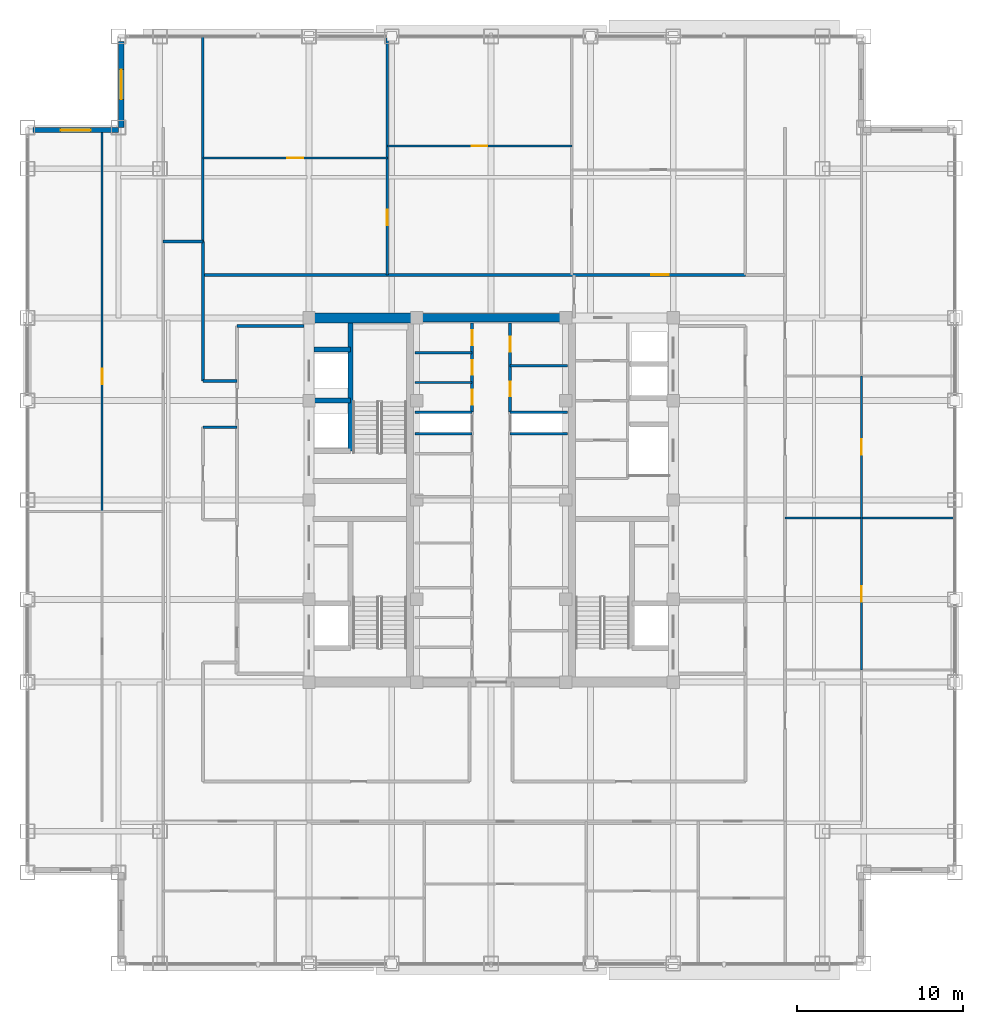
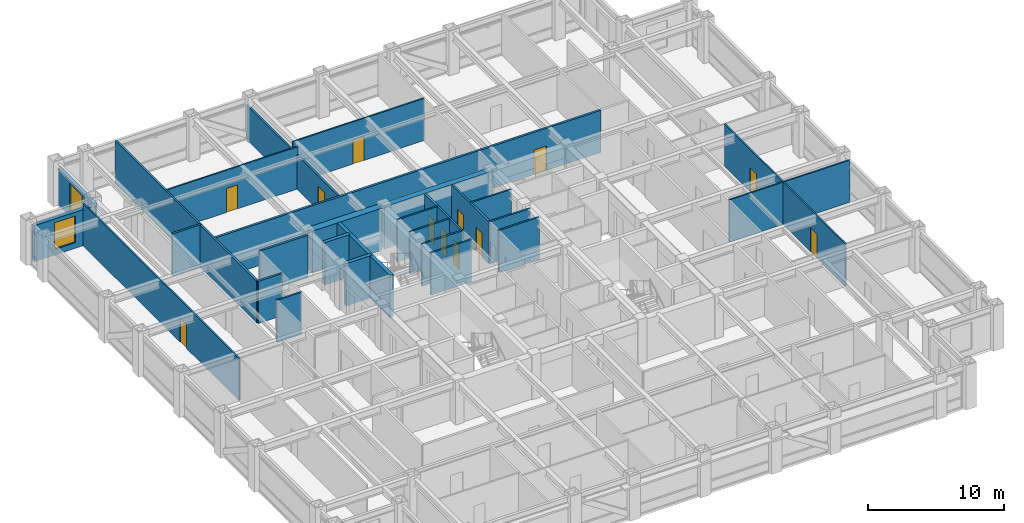
# One storey, part 21 of 27: 30 walls, 12 doors, 2 windows, 14 openings.
"""IFC4 building model written with IfcOpenShell, lengths in metres."""

import ifcopenshell
import ifcopenshell.guid

model = None  # the IFC model being written
_history = None  # IfcOwnerHistory: only IFC2X3 demands one
_inside = {}  # id of a spatial element -> (the spatial element, [elements in it])
_under = {}  # id of a project, library or spatial element -> (it, [spatial elements below it])
_declared = {}  # id of a project -> (the project, [libraries it declares])
_typed = {}  # id of a type object -> (the type object, [elements of that type])
_made_of = {}  # id of a material, layer set ... -> (it, [elements and type objects made of it])


def new_model(schema):
    """Start an empty IFC model of exactly this schema.

    Asked for "IFC4X3", IfcOpenShell would pick the latest addendum, in which some entities
    have other attributes; the version numbers below select the first issue.
    IFC2X3 requires an IfcOwnerHistory on every rooted entity: one is made here for all.
    """
    global model, _history
    if schema == "IFC4X3":
        model = ifcopenshell.file(schema_version=(4, 3, 0, 0))
    else:
        model = ifcopenshell.file(schema=schema)
    _inside.clear()
    _under.clear()
    _declared.clear()
    _typed.clear()
    _made_of.clear()
    _history = None
    if model.schema == "IFC2X3":
        org = make("IfcOrganization", Name="unknown")
        user = make(
            "IfcPersonAndOrganization",
            ThePerson=make("IfcPerson", FamilyName="unknown"),
            TheOrganization=org,
        )
        app = make(
            "IfcApplication",
            ApplicationDeveloper=org,
            Version="unknown",
            ApplicationFullName="unknown",
            ApplicationIdentifier="unknown",
        )
        _history = make(
            "IfcOwnerHistory",
            OwningUser=user,
            OwningApplication=app,
            ChangeAction="ADDED",
            CreationDate=0,
        )
    return model


def make(cls, **values):
    """One entity of the class cls with the attributes given. An attribute that is None is left unset."""
    return model.create_entity(
        cls, **{name: value for name, value in values.items() if value is not None}
    )


def rooted(cls, **values):
    """An entity with a GlobalId (a new one), such as an element, a storey or a relation."""
    return make(cls, GlobalId=ifcopenshell.guid.new(), OwnerHistory=_history, **values)


def si_unit(unit_type, name, prefix=None):
    """IfcSIUnit, for example si_unit("LENGTHUNIT", "METRE", prefix="MILLI")."""
    return make("IfcSIUnit", UnitType=unit_type, Prefix=prefix, Name=name)


def assignment(units):
    """IfcUnitAssignment: the units of a project."""
    return None if units is None else make("IfcUnitAssignment", Units=units)


def point(xyz):
    """IfcCartesianPoint."""
    return None if xyz is None else make("IfcCartesianPoint", Coordinates=xyz)


def direction(xyz):
    """IfcDirection."""
    return None if xyz is None else make("IfcDirection", DirectionRatios=xyz)


def frame(location, z_axis=None, x_axis=None):
    """IfcAxis2Placement3D, a coordinate frame: its origin and axes. An axis left out is left unset."""
    return make(
        "IfcAxis2Placement3D",
        Location=point(location),
        Axis=direction(z_axis),
        RefDirection=direction(x_axis),
    )


def frame_2d(location, x_axis=None):
    """IfcAxis2Placement2D, a coordinate frame in the plane: its origin and x axis."""
    return make(
        "IfcAxis2Placement2D", Location=point(location), RefDirection=direction(x_axis)
    )


def origin():
    """The frame at (0, 0, 0) with its axes left unset."""
    return frame((0.0, 0.0, 0.0))


def place(relative_to, where):
    """IfcLocalPlacement: puts the frame where relative to a parent placement (None: the world)."""
    return make(
        "IfcLocalPlacement", PlacementRelTo=relative_to, RelativePlacement=where
    )


def context(
    kind, dimensions, precision=None, world=None, true_north=None, identifier=None
):
    """IfcGeometricRepresentationContext, for example the 3D "Model" context."""
    return make(
        "IfcGeometricRepresentationContext",
        ContextIdentifier=identifier,
        ContextType=kind,
        CoordinateSpaceDimension=dimensions,
        Precision=precision,
        WorldCoordinateSystem=world,
        TrueNorth=true_north,
    )


def subcontext(parent, identifier, kind, view, scale=None):
    """IfcGeometricRepresentationSubContext, for example "Body" below "Model"."""
    return make(
        "IfcGeometricRepresentationSubContext",
        ContextIdentifier=identifier,
        ContextType=kind,
        ParentContext=parent,
        TargetScale=scale,
        TargetView=view,
    )


def project(units=None, contexts=None):
    """IfcProject with its units and contexts."""
    return rooted(
        "IfcProject",
        Name="project",
        RepresentationContexts=contexts,
        UnitsInContext=assignment(units),
    )


def spatial(cls, under=None, at=None, **own):
    """A site, building, storey or space (cls), placed at a placement, below another one or the project."""
    s = rooted(cls, ObjectPlacement=at, **own)
    if under is not None:
        _under.setdefault(under.id(), (under, []))[1].append(s)
    return s


def profile(cls, at=None, kind="AREA", **sizes):
    """A parametric profile (cls). Its sizes go by their IFC names, for example OverallWidth=200.0."""
    return make(cls, ProfileType=kind, Position=at, **sizes)


def rectangle(**sizes):
    """IfcRectangleProfileDef."""
    return profile("IfcRectangleProfileDef", **sizes)


def extrude(swept, where, along, depth):
    """IfcExtrudedAreaSolid: the profile swept, set in the frame where, extruded along a direction by depth."""
    return make(
        "IfcExtrudedAreaSolid",
        SweptArea=swept,
        Position=where,
        ExtrudedDirection=direction(along),
        Depth=depth,
    )


def shape(context_of_items, identifier, shape_type, items):
    """IfcShapeRepresentation: the items that make up one representation, for example the "Body"."""
    return make(
        "IfcShapeRepresentation",
        ContextOfItems=context_of_items,
        RepresentationIdentifier=identifier,
        RepresentationType=shape_type,
        Items=items,
    )


def source(mapping_origin, context_of_items, identifier, shape_type, items):
    """IfcRepresentationMap: a shape defined once, which mapped items show again and again."""
    return make(
        "IfcRepresentationMap",
        MappingOrigin=mapping_origin,
        MappedRepresentation=shape(context_of_items, identifier, shape_type, items),
    )


def transform(
    local_origin,
    x_axis=None,
    y_axis=None,
    z_axis=None,
    scale=None,
    scale2=None,
    scale3=None,
    uniform=True,
):
    """IfcCartesianTransformationOperator3D, or its non-uniform kind. x_axis, y_axis, z_axis: its Axis1, 2, 3."""
    if uniform:
        return make(
            "IfcCartesianTransformationOperator3D",
            Axis1=direction(x_axis),
            Axis2=direction(y_axis),
            LocalOrigin=point(local_origin),
            Scale=scale,
            Axis3=direction(z_axis),
        )
    return make(
        "IfcCartesianTransformationOperator3DnonUniform",
        Axis1=direction(x_axis),
        Axis2=direction(y_axis),
        LocalOrigin=point(local_origin),
        Scale=scale,
        Axis3=direction(z_axis),
        Scale2=scale2,
        Scale3=scale3,
    )


def mapped(mapping_source, mapping_target):
    """IfcMappedItem: shows the shape of a source again, moved by a transform."""
    return make(
        "IfcMappedItem", MappingSource=mapping_source, MappingTarget=mapping_target
    )


def material(Name=None, Category=None):
    """IfcMaterial."""
    return make("IfcMaterial", Name=Name, Category=Category)


def layer(
    of_material, thickness, ventilated=None, Name=None, Category=None, Priority=None
):
    """IfcMaterialLayer: one layer of a wall or slab, of a material (None: an air gap)."""
    return make(
        "IfcMaterialLayer",
        Material=of_material,
        LayerThickness=thickness,
        IsVentilated=ventilated,
        Name=Name,
        Category=Category,
        Priority=Priority,
    )


def layer_set(layers, Name=None):
    """IfcMaterialLayerSet."""
    return make("IfcMaterialLayerSet", MaterialLayers=layers, LayerSetName=Name)


def made_of(thing, what):
    """Note that an element or type object is made of a material, layer set ...; save() writes the relation."""
    if what is not None:
        _made_of.setdefault(what.id(), (what, []))[1].append(thing)
    return thing


def type_object(cls, material=None, **own):
    """A type object (cls), such as IfcWallType, which elements share."""
    return made_of(rooted(cls, **own), material)


def element(
    cls,
    number,
    at=None,
    inside=None,
    cuts=None,
    type_object=None,
    material=None,
    context=None,
    identifier="Body",
    shape_type=None,
    held_by="IfcProductDefinitionShape",
    body=None,
    shapes=None,
    **own,
):
    """One element of the class cls, such as IfcWall. Its Tag is "e" and its number.

    at: its placement. inside: the storey or other place that contains it. cuts: it is an
    opening in that element (IfcRelVoidsElement). A single representation is given by context,
    identifier, shape_type and body (its items); several are given by shapes. held_by: the class
    of the entity that holds the representations. save() writes the other relations.
    """
    e = rooted(cls, Tag="e%d" % number, ObjectPlacement=at, **own)
    if body is not None:
        shapes = [shape(context, identifier, shape_type, body)]
    if shapes is not None:
        e.Representation = make(held_by, Representations=shapes)
    if inside is not None:
        _inside.setdefault(inside.id(), (inside, []))[1].append(e)
    if cuts is not None:
        rooted(
            "IfcRelVoidsElement", RelatingBuildingElement=cuts, RelatedOpeningElement=e
        )
    if type_object is not None:
        _typed.setdefault(type_object.id(), (type_object, []))[1].append(e)
    return made_of(e, material)


def fill(opening, filler):
    """IfcRelFillsElement: the door or window that sits in an opening."""
    return rooted(
        "IfcRelFillsElement",
        RelatingOpeningElement=opening,
        RelatedBuildingElement=filler,
    )


def aggregate(whole, parts):
    """IfcRelAggregates: a whole, such as a stair, and the parts it consists of."""
    return rooted("IfcRelAggregates", RelatingObject=whole, RelatedObjects=parts)


def save(model, path):
    """Write the relations noted so far, then the file.

    IfcRelAggregates (storeys below a building ...), IfcRelContainedInSpatialStructure (elements
    in a storey), IfcRelDefinesByType, IfcRelAssociatesMaterial and IfcRelDeclares: one each for
    every whole, place, type object, material and project.
    """
    for whole, parts in _under.values():
        aggregate(whole, parts)
    for where, things in _inside.values():
        rooted(
            "IfcRelContainedInSpatialStructure",
            RelatedElements=things,
            RelatingStructure=where,
        )
    for kind, things in _typed.values():
        rooted("IfcRelDefinesByType", RelatedObjects=things, RelatingType=kind)
    for what, things in _made_of.values():
        rooted("IfcRelAssociatesMaterial", RelatedObjects=things, RelatingMaterial=what)
    for by, libraries in _declared.values():
        rooted("IfcRelDeclares", RelatingContext=by, RelatedDefinitions=libraries)
    model.write(path)


model = new_model("IFC4")

# Units and contexts
model_context = context("Model", 3, precision=1e-05, world=origin(), true_north=direction((0.0, 1.0)))
body_context = subcontext(model_context, "Body", "Model", "MODEL_VIEW")
ifc_project = project(units=[si_unit("LENGTHUNIT", "METRE"), si_unit("AREAUNIT", "SQUARE_METRE"), si_unit("VOLUMEUNIT", "CUBIC_METRE"), si_unit("PLANEANGLEUNIT", "RADIAN"), si_unit("MASSUNIT", "GRAM", prefix="KILO")], contexts=[model_context])

# Site, building, storey
site_placement = place(None, origin())
site = spatial("IfcSite", under=ifc_project, at=site_placement, CompositionType="ELEMENT")
building_placement = place(site_placement, origin())
building = spatial("IfcBuilding", under=site, at=building_placement, Name="Khorayat Bourse Tower", CompositionType="ELEMENT")
storey_placement = place(building_placement, frame((0.0, 0.0, 281.5)))
storey = spatial("IfcBuildingStorey", under=building, at=storey_placement, Name="L66", CompositionType="ELEMENT", Elevation=281.5)

# Walls
ifc_material_1 = material(Name="Concrete C60/75", Category="concrete")
ifc_layer_1 = layer(ifc_material_1, 0.60009765625)
ifc_layer_set_1 = layer_set([ifc_layer_1], Name="Concrete C60/75")
wall_type_1 = type_object("IfcWallType", Name="WAL-CORE-600", PredefinedType="SHEAR", material=ifc_layer_set_1)
shared_shape_1 = source(origin(), body_context, "Body", "SweptSolid", [
    extrude(rectangle(XDim=5.89990234375, YDim=0.60009765625, at=frame_2d((2.949951171875, 0.0))), origin(), (0.0, 0.0, 1.0), 3.780029296875),
])
wall_1_placement = place(storey_placement, frame((-10.75, 11.0, 0.0), z_axis=(0.0, 0.0, 1.0), x_axis=(1.0, 0.0, 0.0)))
element("IfcWall", 1, at=wall_1_placement, inside=storey, type_object=wall_type_1, Name="L66 Core Shear Wall PIER-WN", PredefinedType="SHEAR", context=body_context, shape_type="MappedRepresentation", body=[
    mapped(shared_shape_1, transform((0.0, 0.0, 0.0), scale=1.0)),
])
ifc_material_2 = material(Name="Concrete C52/65", Category="concrete")
ifc_layer_2 = layer(ifc_material_2, 0.5)
ifc_layer_set_2 = layer_set([ifc_layer_2], Name="Concrete C52/65")
wall_type_2 = type_object("IfcWallType", Name="WAL-CORE-500", PredefinedType="SHEAR", material=ifc_layer_set_2)
shared_shape_2 = source(origin(), body_context, "Body", "SweptSolid", [
    extrude(rectangle(XDim=9.2001953125, YDim=0.5, at=frame_2d((4.60009765625, 0.0))), origin(), (0.0, 0.0, 1.0), 3.780029296875),
])
wall_2_placement = place(storey_placement, frame((-4.60009765625, 11.0, 0.0), z_axis=(0.0, 0.0, 1.0), x_axis=(1.0, 0.0, 0.0)))
element("IfcWall", 2, at=wall_2_placement, inside=storey, type_object=wall_type_2, Name="L66 Core Shear Wall CORE-N", PredefinedType="SHEAR", context=body_context, shape_type="MappedRepresentation", body=[
    mapped(shared_shape_2, transform((0.0, 0.0, 0.0), scale=1.0)),
])

# Wall, opening, window
ifc_material_3 = material(Name="Precast concrete C45/55", Category="concrete")
ifc_layer_3 = layer(ifc_material_3, 0.320068359375)
ifc_layer_set_3 = layer_set([ifc_layer_3], Name="Precast concrete C45/55")
wall_type_3 = type_object("IfcWallType", Name="WAL-EXT-STONE-320", PredefinedType="STANDARD", material=ifc_layer_set_3)
shared_shape_3 = source(origin(), body_context, "Body", "SweptSolid", [
    extrude(rectangle(XDim=5.179931640625, YDim=0.320068359375, at=frame_2d((2.58984375, 0.0))), origin(), (0.0, 0.0, 1.0), 3.23095703125),
])
wall_3_placement = place(storey_placement, frame((-22.340087890625, 22.5, 0.0), z_axis=(0.0, 0.0, 1.0), x_axis=(0.0, 1.0, 0.0)))
wall_3 = element("IfcWall", 3, at=wall_3_placement, inside=storey, type_object=wall_type_3, Name="L66 Re-Entrant Notch Limestone Wall NW-V", PredefinedType="STANDARD", context=body_context, shape_type="MappedRepresentation", body=[
    mapped(shared_shape_3, transform((0.0, 0.0, 0.0), scale=1.0)),
])
shared_shape_4 = source(origin(), body_context, "Body", "SweptSolid", [
    extrude(rectangle(XDim=1.800048828125, YDim=2.39990234375, at=frame_2d((0.89990234375, 1.199951171875))), frame((0.0, 0.169921875, 0.0), z_axis=(0.0, -1.0, 0.0), x_axis=(1.0, 0.0, 0.0)), (0.0, 0.0, 1.0), 0.340087890625),
])
opening_1_placement = place(wall_3_placement, frame((1.68994140625, 0.0, 0.5)))
opening_1 = element("IfcOpeningElement", 4, at=opening_1_placement, cuts=wall_3, Name="Opening WN-04", PredefinedType="OPENING", context=body_context, shape_type="MappedRepresentation", body=[
    mapped(shared_shape_4, transform((0.0, 0.0, 0.0), scale=1.0)),
])
ifc_material_4 = material(Name="Low-E acoustic laminated double glazing", Category="glass")
window_type = type_object("IfcWindowType", Name="WIN-NOTCH-1800x2400", PartitioningType="SINGLE_PANEL", PredefinedType="WINDOW", material=ifc_material_4)
shared_shape_5 = source(origin(), body_context, "Body", "SweptSolid", [
    extrude(rectangle(XDim=1.800048828125, YDim=2.39990234375, at=frame_2d((0.89990234375, 1.199951171875))), frame((0.0, 0.030029296875, 0.0), z_axis=(0.0, -1.0, 0.0), x_axis=(1.0, 0.0, 0.0)), (0.0, 0.0, 1.0), 0.06005859375),
])
window_1_placement = place(opening_1_placement, origin())
window_1 = element("IfcWindow", 5, at=window_1_placement, inside=storey, type_object=window_type, Name="L66 Facade Window 1", OverallHeight=2.39990234375, OverallWidth=1.800048828125, PartitioningType="SINGLE_PANEL", PredefinedType="WINDOW", context=body_context, shape_type="MappedRepresentation", body=[
    mapped(shared_shape_5, transform((0.0, 0.0, 0.0), scale=1.0)),
])
fill(opening_1, window_1)

wall_4_placement = place(storey_placement, frame((-22.5, 22.340087890625, 0.0), z_axis=(0.0, 0.0, 1.0), x_axis=(-1.0, 0.0, 0.0)))
wall_4 = element("IfcWall", 6, at=wall_4_placement, inside=storey, type_object=wall_type_3, Name="L66 Re-Entrant Notch Limestone Wall NW-H", PredefinedType="STANDARD", context=body_context, shape_type="MappedRepresentation", body=[
    mapped(shared_shape_3, transform((0.0, 0.0, 0.0), scale=1.0)),
])
opening_2_placement = place(wall_4_placement, frame((1.68994140625, 0.0, 0.5)))
opening_2 = element("IfcOpeningElement", 7, at=opening_2_placement, cuts=wall_4, Name="Opening WN-04", PredefinedType="OPENING", context=body_context, shape_type="MappedRepresentation", body=[
    mapped(shared_shape_4, transform((0.0, 0.0, 0.0), scale=1.0)),
])
window_2_placement = place(opening_2_placement, origin())
window_2 = element("IfcWindow", 8, at=window_2_placement, inside=storey, type_object=window_type, Name="L66 Facade Window 1", OverallHeight=2.39990234375, OverallWidth=1.800048828125, PartitioningType="SINGLE_PANEL", PredefinedType="WINDOW", context=body_context, shape_type="MappedRepresentation", body=[
    mapped(shared_shape_5, transform((0.0, 0.0, 0.0), scale=1.0)),
])
fill(opening_2, window_2)

# Walls
ifc_material_5 = material(Name="Concrete C50/60", Category="concrete")
ifc_layer_4 = layer(ifc_material_5, 0.300048828125)
ifc_layer_set_4 = layer_set([ifc_layer_4], Name="Concrete C50/60")
wall_type_4 = type_object("IfcWallType", Name="WAL-SHAFT-300", PredefinedType="SHEAR", material=ifc_layer_set_4)
shared_shape_6 = source(origin(), body_context, "Body", "SweptSolid", [
    extrude(rectangle(XDim=2.199951171875, YDim=0.300048828125, at=frame_2d((1.10009765625, 0.0))), origin(), (0.0, 0.0, 1.0), 3.780029296875),
])
for number, where, z_axis, x_axis, name in (
    (9, (-10.699951171875, 6.0, 0.0), (0.0, 0.0, 1.0), (1.0, 0.0, 0.0), "L66 Partition WAL-L66-WPIER-H12"),
    (10, (-10.699951171875, 9.10009765625, 0.0), (0.0, 0.0, 1.0), (1.0, 0.0, 0.0), "L66 Partition WAL-L66-WPIER-H2N"),
):
    element("IfcWall", number, at=place(storey_placement, frame(where, z_axis=z_axis, x_axis=x_axis)), inside=storey, type_object=wall_type_4, Name=name, PredefinedType="SHEAR", context=body_context, shape_type="MappedRepresentation", body=[
        mapped(shared_shape_6, transform((0.0, 0.0, 0.0), scale=1.0)),
    ])
shared_shape_7 = source(origin(), body_context, "Body", "SweptSolid", [
    extrude(rectangle(XDim=7.75, YDim=0.300048828125, at=frame_2d((3.875, 0.0))), origin(), (0.0, 0.0, 1.0), 3.780029296875),
])
wall_5_placement = place(storey_placement, frame((-8.5, 2.949951171875, 0.0), z_axis=(0.0, 0.0, 1.0), x_axis=(0.0, 1.0, 0.0)))
element("IfcWall", 11, at=wall_5_placement, inside=storey, type_object=wall_type_4, Name="L66 Partition WAL-L66-WPIER-ST2S", PredefinedType="SHEAR", context=body_context, shape_type="MappedRepresentation", body=[
    mapped(shared_shape_7, transform((0.0, 0.0, 0.0), scale=1.0)),
])
ifc_material_6 = material(Name="Gypsum plasterboard acoustic stud wall")
ifc_layer_5 = layer(ifc_material_6, 0.179931640625)
ifc_layer_set_5 = layer_set([ifc_layer_5], Name="Gypsum plasterboard acoustic stud wall")
wall_type_5 = type_object("IfcWallType", Name="WAL-PART-CORR-180", PredefinedType="PARTITIONING", material=ifc_layer_set_5)
shared_shape_8 = source(origin(), body_context, "Body", "SweptSolid", [
    extrude(rectangle(XDim=4.050048828125, YDim=0.179931640625, at=frame_2d((2.02490234375, 0.0))), origin(), (0.0, 0.0, 1.0), 3.780029296875),
])
wall_6_placement = place(storey_placement, frame((-15.35009765625, 10.5, 0.0), z_axis=(0.0, 0.0, 1.0), x_axis=(1.0, 0.0, 0.0)))
element("IfcWall", 12, at=wall_6_placement, inside=storey, type_object=wall_type_5, Name="L66 Partition WAL-L66-WLOB-N", PredefinedType="PARTITIONING", context=body_context, shape_type="MappedRepresentation", body=[
    mapped(shared_shape_8, transform((0.0, 0.0, 0.0), scale=1.0)),
])
ifc_material_7 = material(Name="Gypsum plasterboard twin-frame partition")
ifc_layer_6 = layer(ifc_material_7, 0.14990234375)
ifc_layer_set_6 = layer_set([ifc_layer_6], Name="Gypsum plasterboard twin-frame partition")
wall_type_6 = type_object("IfcWallType", Name="WAL-PART-SUITE-150", PredefinedType="PARTITIONING", material=ifc_layer_set_6)
shared_shape_9 = source(origin(), body_context, "Body", "SweptSolid", [
    extrude(rectangle(XDim=3.4501953125, YDim=0.14990234375, at=frame_2d((1.72509765625, 0.0))), origin(), (0.0, 0.0, 1.0), 3.780029296875),
])
for number, where, z_axis, x_axis, name in (
    (13, (-4.60009765625, 4.0, 0.0), (0.0, 0.0, 1.0), (1.0, 0.0, 0.0), "L66 Partition WAL-L66-CRSW-S"),
    (14, (1.14990234375, 4.0, 0.0), (0.0, 0.0, 1.0), (1.0, 0.0, 0.0), "L66 Partition WAL-L66-CRSE-S"),
    (15, (-4.60009765625, 5.300048828125, 0.0), (0.0, 0.0, 1.0), (1.0, 0.0, 0.0), "L66 Partition WAL-L66-FB2-SW"),
    (16, (1.14990234375, 5.300048828125, 0.0), (0.0, 0.0, 1.0), (1.0, 0.0, 0.0), "L66 Partition WAL-L66-FB2-SE"),
):
    element("IfcWall", number, at=place(storey_placement, frame(where, z_axis=z_axis, x_axis=x_axis)), inside=storey, type_object=wall_type_6, Name=name, PredefinedType="PARTITIONING", context=body_context, shape_type="MappedRepresentation", body=[
        mapped(shared_shape_9, transform((0.0, 0.0, 0.0), scale=1.0)),
    ])

# Wall, openings, doors
shared_shape_10 = source(origin(), body_context, "Body", "SweptSolid", [
    extrude(rectangle(XDim=5.39990234375, YDim=0.179931640625, at=frame_2d((2.699951171875, 0.0))), origin(), (0.0, 0.0, 1.0), 3.780029296875),
])
wall_7_placement = place(storey_placement, frame((-1.14990234375, 5.300048828125, 0.0), z_axis=(0.0, 0.0, 1.0), x_axis=(0.0, 1.0, 0.0)))
wall_7 = element("IfcWall", 17, at=wall_7_placement, inside=storey, type_object=wall_type_5, Name="L66 Partition WAL-L66-FB2W-L", PredefinedType="PARTITIONING", context=body_context, shape_type="MappedRepresentation", body=[
    mapped(shared_shape_10, transform((0.0, 0.0, 0.0), scale=1.0)),
])
shared_shape_11 = source(origin(), body_context, "Body", "SweptSolid", [
    extrude(rectangle(XDim=0.89990234375, YDim=2.14990234375, at=frame_2d((0.449951171875, 1.074951171875))), frame((0.0, 0.099853515625, 0.0), z_axis=(0.0, -1.0, 0.0), x_axis=(1.0, 0.0, 0.0)), (0.0, 0.0, 1.0), 0.199951171875),
])
opening_3_placement = place(wall_7_placement, frame((0.449951171875, 0.0, 0.0)))
opening_3 = element("IfcOpeningElement", 18, at=opening_3_placement, cuts=wall_7, Name="Opening DI-06", PredefinedType="OPENING", context=body_context, shape_type="MappedRepresentation", body=[
    mapped(shared_shape_11, transform((0.0, 0.0, 0.0), scale=1.0)),
])
opening_4_placement = place(wall_7_placement, frame((2.25, 0.0, 0.0)))
opening_4 = element("IfcOpeningElement", 19, at=opening_4_placement, cuts=wall_7, Name="Opening DI-06", PredefinedType="OPENING", context=body_context, shape_type="MappedRepresentation", body=[
    mapped(shared_shape_11, transform((0.0, 0.0, 0.0), scale=1.0)),
])
opening_5_placement = place(wall_7_placement, frame((4.050048828125, 0.0, 0.0)))
opening_5 = element("IfcOpeningElement", 20, at=opening_5_placement, cuts=wall_7, Name="Opening DI-06", PredefinedType="OPENING", context=body_context, shape_type="MappedRepresentation", body=[
    mapped(shared_shape_11, transform((0.0, 0.0, 0.0), scale=1.0)),
])
ifc_material_8 = material(Name="Moisture-resistant laminate washroom door")
door_type_1 = type_object("IfcDoorType", Name="DR-INT-WC-900", OperationType="NOTDEFINED", PredefinedType="DOOR", material=ifc_material_8)
shared_shape_12 = source(origin(), body_context, "Body", "SweptSolid", [
    extrude(rectangle(XDim=0.89990234375, YDim=2.14990234375, at=frame_2d((0.449951171875, 1.074951171875))), frame((0.0, 0.02490234375, 0.0), z_axis=(0.0, -1.0, 0.0), x_axis=(1.0, 0.0, 0.0)), (0.0, 0.0, 1.0), 0.050048828125),
])
door_1_placement = place(opening_3_placement, origin())
door_1 = element("IfcDoor", 21, at=door_1_placement, inside=storey, type_object=door_type_1, Name="L66 Custody Vault A Door", OperationType="SINGLE_SWING_RIGHT", OverallHeight=2.14990234375, OverallWidth=0.89990234375, PredefinedType="DOOR", context=body_context, shape_type="MappedRepresentation", body=[
    mapped(shared_shape_12, transform((0.0, 0.0, 0.0), scale=1.0)),
])
fill(opening_3, door_1)
door_2_placement = place(opening_4_placement, origin())
door_2 = element("IfcDoor", 22, at=door_2_placement, inside=storey, type_object=door_type_1, Name="L66 Fiber Patch Room Door", OperationType="SINGLE_SWING_LEFT", OverallHeight=2.14990234375, OverallWidth=0.89990234375, PredefinedType="DOOR", context=body_context, shape_type="MappedRepresentation", body=[
    mapped(shared_shape_12, transform((0.0, 0.0, 0.0), scale=1.0)),
])
fill(opening_4, door_2)
door_3_placement = place(opening_5_placement, origin())
door_3 = element("IfcDoor", 23, at=door_3_placement, inside=storey, type_object=door_type_1, Name="L66 Custody Vault B Door", OperationType="SINGLE_SWING_RIGHT", OverallHeight=2.14990234375, OverallWidth=0.89990234375, PredefinedType="DOOR", context=body_context, shape_type="MappedRepresentation", body=[
    mapped(shared_shape_12, transform((0.0, 0.0, 0.0), scale=1.0)),
])
fill(opening_5, door_3)

wall_8_placement = place(storey_placement, frame((1.14990234375, 5.300048828125, 0.0), z_axis=(0.0, 0.0, 1.0), x_axis=(0.0, 1.0, 0.0)))
wall_8 = element("IfcWall", 24, at=wall_8_placement, inside=storey, type_object=wall_type_5, Name="L66 Partition WAL-L66-FB2E-L", PredefinedType="PARTITIONING", context=body_context, shape_type="MappedRepresentation", body=[
    mapped(shared_shape_10, transform((0.0, 0.0, 0.0), scale=1.0)),
])
opening_6_placement = place(wall_8_placement, frame((0.949951171875, 0.0, 0.0)))
opening_6 = element("IfcOpeningElement", 25, at=opening_6_placement, cuts=wall_8, Name="Opening DI-06", PredefinedType="OPENING", context=body_context, shape_type="MappedRepresentation", body=[
    mapped(shared_shape_11, transform((0.0, 0.0, 0.0), scale=1.0)),
])
opening_7_placement = place(wall_8_placement, frame((3.64990234375, 0.0, 0.0)))
opening_7 = element("IfcOpeningElement", 26, at=opening_7_placement, cuts=wall_8, Name="Opening DI-06", PredefinedType="OPENING", context=body_context, shape_type="MappedRepresentation", body=[
    mapped(shared_shape_11, transform((0.0, 0.0, 0.0), scale=1.0)),
])
door_4_placement = place(opening_6_placement, origin())
door_4 = element("IfcDoor", 27, at=door_4_placement, inside=storey, type_object=door_type_1, Name="L66 Core Pantry Store Door", OperationType="SINGLE_SWING_RIGHT", OverallHeight=2.14990234375, OverallWidth=0.89990234375, PredefinedType="DOOR", context=body_context, shape_type="MappedRepresentation", body=[
    mapped(shared_shape_12, transform((0.0, 0.0, 0.0), scale=1.0)),
])
fill(opening_6, door_4)
door_5_placement = place(opening_7_placement, origin())
door_5 = element("IfcDoor", 28, at=door_5_placement, inside=storey, type_object=door_type_1, Name="L66 Chilled Riser Room Door", OperationType="SINGLE_SWING_LEFT", OverallHeight=2.14990234375, OverallWidth=0.89990234375, PredefinedType="DOOR", context=body_context, shape_type="MappedRepresentation", body=[
    mapped(shared_shape_12, transform((0.0, 0.0, 0.0), scale=1.0)),
])
fill(opening_7, door_5)

# Walls
ifc_material_9 = material(Name="Moisture-resistant masonry partition", Category="masonry")
ifc_layer_7 = layer(ifc_material_9, 0.139892578125)
ifc_layer_set_7 = layer_set([ifc_layer_7], Name="Moisture-resistant masonry partition")
wall_type_7 = type_object("IfcWallType", Name="WAL-PART-WET-140", PredefinedType="PARTITIONING", material=ifc_layer_set_7)
shared_shape_13 = source(origin(), body_context, "Body", "SweptSolid", [
    extrude(rectangle(XDim=3.4501953125, YDim=0.139892578125, at=frame_2d((1.72509765625, 0.0))), origin(), (0.0, 0.0, 1.0), 3.780029296875),
])
for number, where, z_axis, x_axis, name in (
    (29, (-4.60009765625, 7.10009765625, 0.0), (0.0, 0.0, 1.0), (1.0, 0.0, 0.0), "L66 Partition WAL-L66-FB2W-D1"),
    (30, (-4.60009765625, 8.89990234375, 0.0), (0.0, 0.0, 1.0), (1.0, 0.0, 0.0), "L66 Partition WAL-L66-FB2W-D2"),
    (31, (1.14990234375, 8.10009765625, 0.0), (0.0, 0.0, 1.0), (1.0, 0.0, 0.0), "L66 Partition WAL-L66-FB2E-D1"),
):
    element("IfcWall", number, at=place(storey_placement, frame(where, z_axis=z_axis, x_axis=x_axis)), inside=storey, type_object=wall_type_7, Name=name, PredefinedType="PARTITIONING", context=body_context, shape_type="MappedRepresentation", body=[
        mapped(shared_shape_13, transform((0.0, 0.0, 0.0), scale=1.0)),
    ])
shared_shape_14 = source(origin(), body_context, "Body", "SweptSolid", [
    extrude(rectangle(XDim=2.0498046875, YDim=0.14990234375, at=frame_2d((1.02490234375, 0.0))), origin(), (0.0, 0.0, 1.0), 3.780029296875),
])
wall_9_placement = place(storey_placement, frame((-17.39990234375, 4.39990234375, 0.0), z_axis=(0.0, 0.0, 1.0), x_axis=(1.0, 0.0, 0.0)))
element("IfcWall", 32, at=wall_9_placement, inside=storey, type_object=wall_type_6, Name="L66 Partition WAL-L66-PKWM-N", PredefinedType="PARTITIONING", context=body_context, shape_type="MappedRepresentation", body=[
    mapped(shared_shape_14, transform((0.0, 0.0, 0.0), scale=1.0)),
])
shared_shape_15 = source(origin(), body_context, "Body", "SweptSolid", [
    extrude(rectangle(XDim=2.0498046875, YDim=0.179931640625, at=frame_2d((1.02490234375, 0.0))), origin(), (0.0, 0.0, 1.0), 3.780029296875),
])
wall_10_placement = place(storey_placement, frame((-17.39990234375, 7.199951171875, 0.0), z_axis=(0.0, 0.0, 1.0), x_axis=(1.0, 0.0, 0.0)))
element("IfcWall", 33, at=wall_10_placement, inside=storey, type_object=wall_type_5, Name="L66 Partition WAL-L66-THRWN-T", PredefinedType="PARTITIONING", context=body_context, shape_type="MappedRepresentation", body=[
    mapped(shared_shape_15, transform((0.0, 0.0, 0.0), scale=1.0)),
])
shared_shape_16 = source(origin(), body_context, "Body", "SweptSolid", [
    extrude(rectangle(XDim=8.400146484375, YDim=0.179931640625, at=frame_2d((4.2001953125, 0.0))), origin(), (0.0, 0.0, 1.0), 3.780029296875),
])
wall_11_placement = place(storey_placement, frame((-17.39990234375, 7.199951171875, 0.0), z_axis=(0.0, 0.0, 1.0), x_axis=(0.0, 1.0, 0.0)))
element("IfcWall", 34, at=wall_11_placement, inside=storey, type_object=wall_type_5, Name="L66 Partition WAL-L66-THRWN-N", PredefinedType="PARTITIONING", context=body_context, shape_type="MappedRepresentation", body=[
    mapped(shared_shape_16, transform((0.0, 0.0, 0.0), scale=1.0)),
])
shared_shape_17 = source(origin(), body_context, "Body", "SweptSolid", [
    extrude(rectangle(XDim=2.400146484375, YDim=0.179931640625, at=frame_2d((1.2001953125, 0.0))), origin(), (0.0, 0.0, 1.0), 3.780029296875),
])
wall_12_placement = place(storey_placement, frame((-19.800048828125, 15.60009765625, 0.0), z_axis=(0.0, 0.0, 1.0), x_axis=(1.0, 0.0, 0.0)))
element("IfcWall", 35, at=wall_12_placement, inside=storey, type_object=wall_type_5, Name="L66 Partition WAL-L66-GALW-N", PredefinedType="PARTITIONING", context=body_context, shape_type="MappedRepresentation", body=[
    mapped(shared_shape_17, transform((0.0, 0.0, 0.0), scale=1.0)),
])

# Wall, opening, door
shared_shape_18 = source(origin(), body_context, "Body", "SweptSolid", [
    extrude(rectangle(XDim=32.75, YDim=0.179931640625, at=frame_2d((16.375, 0.0))), origin(), (0.0, 0.0, 1.0), 3.780029296875),
])
wall_13_placement = place(storey_placement, frame((-17.39990234375, 13.60009765625, 0.0), z_axis=(0.0, 0.0, 1.0), x_axis=(1.0, 0.0, 0.0)))
wall_13 = element("IfcWall", 36, at=wall_13_placement, inside=storey, type_object=wall_type_5, Name="L66 Partition WAL-L66-NCORR", PredefinedType="PARTITIONING", context=body_context, shape_type="MappedRepresentation", body=[
    mapped(shared_shape_18, transform((0.0, 0.0, 0.0), scale=1.0)),
])
shared_shape_19 = source(origin(), body_context, "Body", "SweptSolid", [
    extrude(rectangle(XDim=1.050048828125, YDim=2.199951171875, at=frame_2d((0.52490234375, 1.10009765625))), frame((0.0, 0.099853515625, 0.0), z_axis=(0.0, -1.0, 0.0), x_axis=(1.0, 0.0, 0.0)), (0.0, 0.0, 1.0), 0.199951171875),
])
opening_8_placement = place(wall_13_placement, frame((27.074951171875, 0.0, 0.0)))
opening_8 = element("IfcOpeningElement", 37, at=opening_8_placement, cuts=wall_13, Name="Opening DI-04", PredefinedType="OPENING", context=body_context, shape_type="MappedRepresentation", body=[
    mapped(shared_shape_19, transform((0.0, 0.0, 0.0), scale=1.0)),
])
ifc_material_10 = material(Name="Fire-rated oak veneer suite entrance door")
door_type_2 = type_object("IfcDoorType", Name="DR-INT-SUITE-1050", OperationType="NOTDEFINED", PredefinedType="DOOR", material=ifc_material_10)
shared_shape_20 = source(origin(), body_context, "Body", "SweptSolid", [
    extrude(rectangle(XDim=1.050048828125, YDim=2.199951171875, at=frame_2d((0.52490234375, 1.10009765625))), frame((0.0, 0.02490234375, 0.0), z_axis=(0.0, -1.0, 0.0), x_axis=(1.0, 0.0, 0.0)), (0.0, 0.0, 1.0), 0.050048828125),
])
door_6_placement = place(opening_8_placement, origin())
door_6 = element("IfcDoor", 38, at=door_6_placement, inside=storey, type_object=door_type_2, Name="L66 Clearing Operations Office N3 Door", OperationType="SINGLE_SWING_RIGHT", OverallHeight=2.199951171875, OverallWidth=1.050048828125, PredefinedType="DOOR", context=body_context, shape_type="MappedRepresentation", body=[
    mapped(shared_shape_20, transform((0.0, 0.0, 0.0), scale=1.0)),
])
fill(opening_8, door_6)

# Walls
shared_shape_21 = source(origin(), body_context, "Body", "SweptSolid", [
    extrude(rectangle(XDim=12.39990234375, YDim=0.14990234375, at=frame_2d((6.199951171875, 0.0))), origin(), (0.0, 0.0, 1.0), 3.780029296875),
])
wall_14_placement = place(storey_placement, frame((-17.39990234375, 15.60009765625, 0.0), z_axis=(0.0, 0.0, 1.0), x_axis=(0.0, 1.0, 0.0)))
element("IfcWall", 39, at=wall_14_placement, inside=storey, type_object=wall_type_6, Name="L66 Partition WAL-L66-NCW-END", PredefinedType="PARTITIONING", context=body_context, shape_type="MappedRepresentation", body=[
    mapped(shared_shape_21, transform((0.0, 0.0, 0.0), scale=1.0)),
])
ifc_material_11 = material(Name="Gypsum plasterboard partition")
ifc_layer_8 = layer(ifc_material_11, 0.125)
ifc_layer_set_8 = layer_set([ifc_layer_8], Name="Gypsum plasterboard partition")
wall_type_8 = type_object("IfcWallType", Name="WAL-PART-ROOM-125", PredefinedType="PARTITIONING", material=ifc_layer_set_8)
shared_shape_22 = source(origin(), body_context, "Body", "SweptSolid", [
    extrude(rectangle(XDim=10.25, YDim=0.125, at=frame_2d((5.125, 0.0))), origin(), (0.0, 0.0, 1.0), 3.780029296875),
])
wall_15_placement = place(storey_placement, frame((17.75, -1.087890625, 0.0), z_axis=(0.0, 0.0, 1.0), x_axis=(1.0, 0.0, 0.0)))
element("IfcWall", 40, at=wall_15_placement, inside=storey, type_object=wall_type_8, Name="L66 Partition WAL-L66-EDV-2", PredefinedType="PARTITIONING", context=body_context, shape_type="MappedRepresentation", body=[
    mapped(shared_shape_22, transform((0.0, 0.0, 0.0), scale=1.0)),
])

# Wall, opening, door
shared_shape_23 = source(origin(), body_context, "Body", "SweptSolid", [
    extrude(rectangle(XDim=11.135009765625, YDim=0.125, at=frame_2d((5.5673828125, 0.0))), origin(), (0.0, 0.0, 1.0), 3.780029296875),
])
wall_16_placement = place(storey_placement, frame((-17.39990234375, 20.656005859375, 0.0), z_axis=(0.0, 0.0, 1.0), x_axis=(1.0, 0.0, 0.0)))
wall_16 = element("IfcWall", 41, at=wall_16_placement, inside=storey, type_object=wall_type_8, Name="L66 Partition WAL-L66-NDP-1", PredefinedType="PARTITIONING", context=body_context, shape_type="MappedRepresentation", body=[
    mapped(shared_shape_23, transform((0.0, 0.0, 0.0), scale=1.0)),
])
shared_shape_24 = source(origin(), body_context, "Body", "SweptSolid", [
    extrude(rectangle(XDim=0.949951171875, YDim=2.14990234375, at=frame_2d((0.47509765625, 1.074951171875))), frame((0.0, 0.072509765625, 0.0), z_axis=(0.0, -1.0, 0.0), x_axis=(1.0, 0.0, 0.0)), (0.0, 0.0, 1.0), 0.14501953125),
])
opening_9_placement = place(wall_16_placement, frame((5.092529296875, 0.0, 0.0)))
opening_9 = element("IfcOpeningElement", 42, at=opening_9_placement, cuts=wall_16, Name="Opening DI-05", PredefinedType="OPENING", context=body_context, shape_type="MappedRepresentation", body=[
    mapped(shared_shape_24, transform((0.0, 0.0, 0.0), scale=1.0)),
])
ifc_material_12 = material(Name="Acoustic oak veneer office door")
door_type_3 = type_object("IfcDoorType", Name="DR-INT-OFFICE-950", OperationType="NOTDEFINED", PredefinedType="DOOR", material=ifc_material_12)
shared_shape_25 = source(origin(), body_context, "Body", "SweptSolid", [
    extrude(rectangle(XDim=0.949951171875, YDim=2.14990234375, at=frame_2d((0.47509765625, 1.074951171875))), frame((0.0, 0.02490234375, 0.0), z_axis=(0.0, -1.0, 0.0), x_axis=(1.0, 0.0, 0.0)), (0.0, 0.0, 1.0), 0.050048828125),
])
door_7_placement = place(opening_9_placement, origin())
door_7 = element("IfcDoor", 43, at=door_7_placement, inside=storey, type_object=door_type_3, Name="L66 Quantitative Research Study N1B Door", OperationType="SINGLE_SWING_RIGHT", OverallHeight=2.14990234375, OverallWidth=0.949951171875, PredefinedType="DOOR", context=body_context, shape_type="MappedRepresentation", body=[
    mapped(shared_shape_25, transform((0.0, 0.0, 0.0), scale=1.0)),
])
fill(opening_9, door_7)

wall_17_placement = place(storey_placement, frame((-6.264892578125, 21.3759765625, 0.0), z_axis=(0.0, 0.0, 1.0), x_axis=(1.0, 0.0, 0.0)))
wall_17 = element("IfcWall", 44, at=wall_17_placement, inside=storey, type_object=wall_type_8, Name="L66 Partition WAL-L66-NDP-2", PredefinedType="PARTITIONING", context=body_context, shape_type="MappedRepresentation", body=[
    mapped(shared_shape_23, transform((0.0, 0.0, 0.0), scale=1.0)),
])
opening_10_placement = place(wall_17_placement, frame((5.092529296875, 0.0, 0.0)))
opening_10 = element("IfcOpeningElement", 45, at=opening_10_placement, cuts=wall_17, Name="Opening DI-05", PredefinedType="OPENING", context=body_context, shape_type="MappedRepresentation", body=[
    mapped(shared_shape_24, transform((0.0, 0.0, 0.0), scale=1.0)),
])
door_8_placement = place(opening_10_placement, origin())
door_8 = element("IfcDoor", 46, at=door_8_placement, inside=storey, type_object=door_type_3, Name="L66 Equities Trading Desk N2B Door", OperationType="SINGLE_SWING_LEFT", OverallHeight=2.14990234375, OverallWidth=0.949951171875, PredefinedType="DOOR", context=body_context, shape_type="MappedRepresentation", body=[
    mapped(shared_shape_25, transform((0.0, 0.0, 0.0), scale=1.0)),
])
fill(opening_10, door_8)

shared_shape_26 = source(origin(), body_context, "Body", "SweptSolid", [
    extrude(rectangle(XDim=14.39990234375, YDim=0.14990234375, at=frame_2d((7.199951171875, 0.0))), origin(), (0.0, 0.0, 1.0), 3.0849609375),
])
wall_18_placement = place(storey_placement, frame((-6.264892578125, 13.60009765625, 0.0), z_axis=(0.0, 0.0, 1.0), x_axis=(0.0, 1.0, 0.0)))
wall_18 = element("IfcWall", 47, at=wall_18_placement, inside=storey, type_object=wall_type_6, Name="L66 Partition WAL-L66-NDV-1", PredefinedType="PARTITIONING", context=body_context, shape_type="MappedRepresentation", body=[
    mapped(shared_shape_26, transform((0.0, 0.0, 0.0), scale=1.0)),
])
shared_shape_27 = source(origin(), body_context, "Body", "SweptSolid", [
    extrude(rectangle(XDim=0.949951171875, YDim=2.14990234375, at=frame_2d((0.47509765625, 1.074951171875))), frame((0.0, 0.0849609375, 0.0), z_axis=(0.0, -1.0, 0.0), x_axis=(1.0, 0.0, 0.0)), (0.0, 0.0, 1.0), 0.169921875),
])
opening_11_placement = place(wall_18_placement, frame((2.98095703125, 0.0, 0.0)))
opening_11 = element("IfcOpeningElement", 48, at=opening_11_placement, cuts=wall_18, Name="Opening DI-05", PredefinedType="OPENING", context=body_context, shape_type="MappedRepresentation", body=[
    mapped(shared_shape_27, transform((0.0, 0.0, 0.0), scale=1.0)),
])
door_9_placement = place(opening_11_placement, origin())
door_9 = element("IfcDoor", 49, at=door_9_placement, inside=storey, type_object=door_type_3, Name="L66 N Suite Link 1", OperationType="SINGLE_SWING_RIGHT", OverallHeight=2.14990234375, OverallWidth=0.949951171875, PredefinedType="DOOR", context=body_context, shape_type="MappedRepresentation", body=[
    mapped(shared_shape_25, transform((0.0, 0.0, 0.0), scale=1.0)),
])
fill(opening_11, door_9)

shared_shape_28 = source(origin(), body_context, "Body", "SweptSolid", [
    extrude(rectangle(XDim=22.89990234375, YDim=0.125, at=frame_2d((11.449951171875, 0.0))), origin(), (0.0, 0.0, 1.0), 3.780029296875),
])
wall_19_placement = place(storey_placement, frame((-23.489990234375, -0.699951171875, 0.0), z_axis=(0.0, 0.0, 1.0), x_axis=(0.0, 1.0, 0.0)))
wall_19 = element("IfcWall", 50, at=wall_19_placement, inside=storey, type_object=wall_type_8, Name="L66 Partition WAL-L66-WDP-2", PredefinedType="PARTITIONING", context=body_context, shape_type="MappedRepresentation", body=[
    mapped(shared_shape_28, transform((0.0, 0.0, 0.0), scale=1.0)),
])
opening_12_placement = place(wall_19_placement, frame((7.675048828125, 0.0, 0.0)))
opening_12 = element("IfcOpeningElement", 51, at=opening_12_placement, cuts=wall_19, Name="Opening DI-05", PredefinedType="OPENING", context=body_context, shape_type="MappedRepresentation", body=[
    mapped(shared_shape_24, transform((0.0, 0.0, 0.0), scale=1.0)),
])
door_10_placement = place(opening_12_placement, origin())
door_10 = element("IfcDoor", 52, at=door_10_placement, inside=storey, type_object=door_type_3, Name="L66 Market Reference Library W2B Door", OperationType="SINGLE_SWING_LEFT", OverallHeight=2.14990234375, OverallWidth=0.949951171875, PredefinedType="DOOR", context=body_context, shape_type="MappedRepresentation", body=[
    mapped(shared_shape_25, transform((0.0, 0.0, 0.0), scale=1.0)),
])
fill(opening_12, door_10)

shared_shape_29 = source(origin(), body_context, "Body", "SweptSolid", [
    extrude(rectangle(XDim=9.18017578125, YDim=0.125, at=frame_2d((4.590087890625, 0.0))), origin(), (0.0, 0.0, 1.0), 3.780029296875),
])
wall_20_placement = place(storey_placement, frame((22.362548828125, -10.26806640625, 0.0), z_axis=(0.0, 0.0, 1.0), x_axis=(0.0, 1.0, 0.0)))
wall_20 = element("IfcWall", 53, at=wall_20_placement, inside=storey, type_object=wall_type_8, Name="L66 Partition WAL-L66-EDP-2", PredefinedType="PARTITIONING", context=body_context, shape_type="MappedRepresentation", body=[
    mapped(shared_shape_29, transform((0.0, 0.0, 0.0), scale=1.0)),
])
opening_13_placement = place(wall_20_placement, frame((4.114990234375, 0.0, 0.0)))
opening_13 = element("IfcOpeningElement", 54, at=opening_13_placement, cuts=wall_20, Name="Opening DI-05", PredefinedType="OPENING", context=body_context, shape_type="MappedRepresentation", body=[
    mapped(shared_shape_24, transform((0.0, 0.0, 0.0), scale=1.0)),
])
door_11_placement = place(opening_13_placement, origin())
door_11 = element("IfcDoor", 55, at=door_11_placement, inside=storey, type_object=door_type_3, Name="L66 Clearing Records Archive Store E2B Door", OperationType="SINGLE_SWING_LEFT", OverallHeight=2.14990234375, OverallWidth=0.949951171875, PredefinedType="DOOR", context=body_context, shape_type="MappedRepresentation", body=[
    mapped(shared_shape_25, transform((0.0, 0.0, 0.0), scale=1.0)),
])
fill(opening_13, door_11)

shared_shape_30 = source(origin(), body_context, "Body", "SweptSolid", [
    extrude(rectangle(XDim=8.56787109375, YDim=0.125, at=frame_2d((4.283935546875, 0.0))), origin(), (0.0, 0.0, 1.0), 3.780029296875),
])
wall_21_placement = place(storey_placement, frame((22.362548828125, -1.087890625, 0.0), z_axis=(0.0, 0.0, 1.0), x_axis=(0.0, 1.0, 0.0)))
wall_21 = element("IfcWall", 56, at=wall_21_placement, inside=storey, type_object=wall_type_8, Name="L66 Partition WAL-L66-EDP-3", PredefinedType="PARTITIONING", context=body_context, shape_type="MappedRepresentation", body=[
    mapped(shared_shape_30, transform((0.0, 0.0, 0.0), scale=1.0)),
])
opening_14_placement = place(wall_21_placement, frame((3.80908203125, 0.0, 0.0)))
opening_14 = element("IfcOpeningElement", 57, at=opening_14_placement, cuts=wall_21, Name="Opening DI-05", PredefinedType="OPENING", context=body_context, shape_type="MappedRepresentation", body=[
    mapped(shared_shape_24, transform((0.0, 0.0, 0.0), scale=1.0)),
])
door_12_placement = place(opening_14_placement, origin())
door_12 = element("IfcDoor", 58, at=door_12_placement, inside=storey, type_object=door_type_3, Name="L66 Occupational First Aid Clinic E3B Door", OperationType="SINGLE_SWING_RIGHT", OverallHeight=2.14990234375, OverallWidth=0.949951171875, PredefinedType="DOOR", context=body_context, shape_type="MappedRepresentation", body=[
    mapped(shared_shape_25, transform((0.0, 0.0, 0.0), scale=1.0)),
])
fill(opening_14, door_12)

save(model, "model.ifc")
